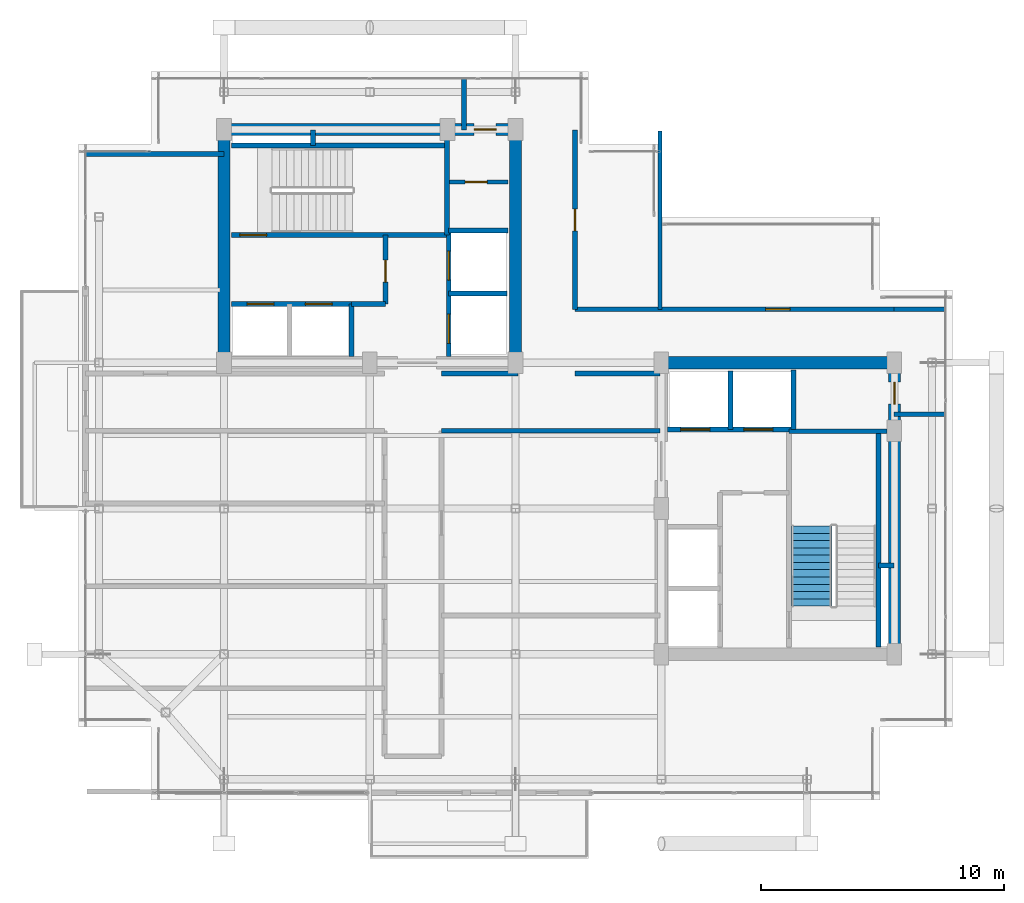
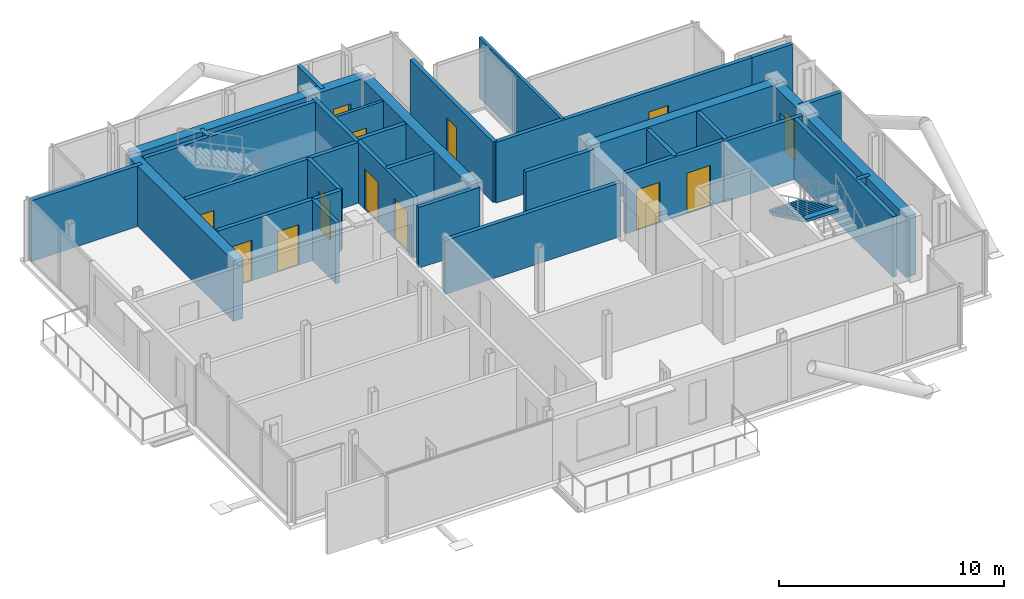
# One storey, part 15 of 18: 33 walls, 13 doors, 1 stair flight, 13 openings, 1 element without a shape of its own.
"""IFC4 building model written with IfcOpenShell, lengths in metres."""

from ifc_helpers import new_model, si_unit, direction, frame, frame_2d, origin, place, context, subcontext, project, spatial, polyline, rectangle, outline, extrude, material, layer, layer_set, type_object, element, fill, aggregate, save


model = new_model("IFC4")

# Units and contexts
model_context = context("Model", 3, precision=1e-05, world=origin(), true_north=direction((0.0, 1.0)))
body_context = subcontext(model_context, "Body", "Model", "MODEL_VIEW")
ifc_project = project(units=[si_unit("LENGTHUNIT", "METRE"), si_unit("AREAUNIT", "SQUARE_METRE"), si_unit("VOLUMEUNIT", "CUBIC_METRE"), si_unit("PLANEANGLEUNIT", "RADIAN"), si_unit("MASSUNIT", "GRAM", prefix="KILO"), si_unit("THERMODYNAMICTEMPERATUREUNIT", "KELVIN"), si_unit("POWERUNIT", "WATT")], contexts=[model_context])

# Site, building, storey
site_placement = place(None, origin())
site = spatial("IfcSite", under=ifc_project, at=site_placement, CompositionType="ELEMENT")
building_placement = place(site_placement, origin())
building = spatial("IfcBuilding", under=site, at=building_placement, Name="Svarakhadi Broadcast Tower", CompositionType="ELEMENT")
storey_placement = place(building_placement, frame((0.0, 0.0, 278.199951171875)))
storey = spatial("IfcBuildingStorey", under=building, at=storey_placement, Name="L70", CompositionType="ELEMENT", Elevation=278.199951171875)

# Walls
ifc_material_1 = material(Name="Double-Stud Acoustic Studio Partition STC-62", Category="gypsum")
ifc_layer_1 = layer(ifc_material_1, 0.199951171875)
ifc_layer_set_1 = layer_set([ifc_layer_1], Name="Double-Stud Acoustic Studio Partition STC-62")
wall_type_1 = type_object("IfcWallType", Name="Wall_Acoust_200", PredefinedType="PARTITIONING", material=ifc_layer_set_1)
wall_1_placement = place(storey_placement, frame((0.300048828125, 26.60009765625, 0.0), z_axis=(0.0, 0.0, 1.0), x_axis=(1.0, 0.0, 0.0)))
element("IfcWall", 1, at=wall_1_placement, inside=storey, type_object=wall_type_1, Name="L70 Summit Cigar and Cognac Salon Wall", PredefinedType="PARTITIONING", context=body_context, shape_type="SweptSolid", body=[
    extrude(rectangle(XDim=5.699951171875, YDim=0.199951171875, at=frame_2d((2.85009765625, 0.0))), origin(), (0.0, 0.0, 1.0), 3.300048828125),
])
ifc_material_2 = material(Name="Concrete C40/50 (IS 456 M50)", Category="concrete")
ifc_layer_2 = layer(ifc_material_2, 0.199951171875)
ifc_layer_set_2 = layer_set([ifc_layer_2], Name="Concrete C40/50 (IS 456 M50)")
wall_type_2 = type_object("IfcWallType", Name="Wall_Fire_200", PredefinedType="SOLIDWALL", material=ifc_layer_set_2)
for number, where, z_axis, x_axis, name in (
    (2, (9.659912109375, 26.93994140625, 0.0), (0.0, 0.0, 1.0), (0.0, 1.0, 0.0), "L70 Wet Riser Shaft East Wall"),
    (3, (32.93994140625, 9.659912109375, 0.0), (0.0, 0.0, 1.0), (1.0, 0.0, 0.0), "L70 HV Busduct Riser Shaft North Wall"),
):
    element("IfcWall", number, at=place(storey_placement, frame(where, z_axis=z_axis, x_axis=x_axis)), inside=storey, type_object=wall_type_2, Name=name, PredefinedType="SOLIDWALL", context=body_context, shape_type="SweptSolid", body=[
        extrude(rectangle(XDim=0.64013671875, YDim=0.199951171875, at=frame_2d((0.320068359375, 0.0))), origin(), (0.0, 0.0, 1.0), 3.300048828125),
    ])
wall_2_placement = place(storey_placement, frame((14.949951171875, 17.550048828125, 0.0), z_axis=(0.0, 0.0, 1.0), x_axis=(1.0, 0.0, 0.0)))
element("IfcWall", 4, at=wall_2_placement, inside=storey, type_object=wall_type_2, Name="L70 Upper Tower Concourse Wall", PredefinedType="SOLIDWALL", context=body_context, shape_type="SweptSolid", body=[
    extrude(rectangle(XDim=3.150146484375, YDim=0.199951171875, at=frame_2d((1.5751953125, 0.0))), origin(), (0.0, 0.0, 1.0), 3.300048828125),
])
wall_3_placement = place(storey_placement, frame((15.8798828125, 27.580078125, 0.0), z_axis=(0.0, 0.0, 1.0), x_axis=(0.0, 1.0, 0.0)))
element("IfcWall", 5, at=wall_3_placement, inside=storey, type_object=wall_type_2, Name="L70 Upper Tower Concourse Wall", PredefinedType="SOLIDWALL", context=body_context, shape_type="SweptSolid", body=[
    extrude(rectangle(XDim=2.119873046875, YDim=0.199951171875, at=frame_2d((1.06005859375, 0.0))), origin(), (0.0, 0.0, 1.0), 3.300048828125),
])

# Wall, opening, door
wall_4_placement = place(storey_placement, frame((20.449951171875, 27.580078125, 0.0), z_axis=(0.0, 0.0, 1.0), x_axis=(0.0, -1.0, 0.0)))
wall_4 = element("IfcWall", 6, at=wall_4_placement, inside=storey, type_object=wall_type_2, Name="L70 Upper Tower Concourse Wall", PredefinedType="SOLIDWALL", context=body_context, shape_type="SweptSolid", body=[
    extrude(rectangle(XDim=7.380126953125, YDim=0.199951171875, at=frame_2d((3.68994140625, 0.0))), origin(), (0.0, 0.0, 1.0), 3.300048828125),
])
opening_1_placement = place(wall_4_placement, frame((3.2548828125, 0.0, 0.0)))
opening_1 = element("IfcOpeningElement", 7, at=opening_1_placement, cuts=wall_4, Name="Opening D-12", PredefinedType="OPENING", context=body_context, shape_type="SweptSolid", body=[
    extrude(rectangle(XDim=0.89990234375, YDim=2.10009765625, at=frame_2d((0.449951171875, 1.050048828125))), frame((0.0, 0.10986328125, 0.0), z_axis=(0.0, -1.0, 0.0), x_axis=(1.0, 0.0, 0.0)), (0.0, 0.0, 1.0), 0.219970703125),
])
ifc_material_3 = material(Name="Solid-Core Teak Veneer Acoustic Timber Leaf", Category="wood")
door_type_1 = type_object("IfcDoorType", Name="Door_WC_D01", OperationType="SINGLE_SWING_LEFT", PredefinedType="DOOR", material=ifc_material_3)
door_1_placement = place(opening_1_placement, origin())
door_1 = element("IfcDoor", 8, at=door_1_placement, inside=storey, type_object=door_type_1, Name="L70 Accessible Visitor Washroom WC Door", OperationType="SINGLE_SWING_LEFT", OverallHeight=2.10009765625, OverallWidth=0.89990234375, PredefinedType="DOOR", context=body_context, shape_type="SweptSolid", body=[
    extrude(rectangle(XDim=0.89990234375, YDim=2.10009765625, at=frame_2d((0.449951171875, 1.050048828125))), frame((0.0, 0.02490234375, 0.0), z_axis=(0.0, -1.0, 0.0), x_axis=(1.0, 0.0, 0.0)), (0.0, 0.0, 1.0), 0.050048828125),
])
fill(opening_1, door_1)

wall_5_placement = place(storey_placement, frame((20.449951171875, 20.199951171875, 0.0), z_axis=(0.0, 0.0, 1.0), x_axis=(1.0, 0.0, 0.0)))
wall_5 = element("IfcWall", 9, at=wall_5_placement, inside=storey, type_object=wall_type_2, Name="L70 Upper Tower Concourse Wall", PredefinedType="SOLIDWALL", context=body_context, shape_type="SweptSolid", body=[
    extrude(rectangle(XDim=13.130126953125, YDim=0.199951171875, at=frame_2d((6.56494140625, 0.0))), origin(), (0.0, 0.0, 1.0), 3.300048828125),
])
opening_2_placement = place(wall_5_placement, frame((7.85009765625, 0.0, 0.0)))
opening_2 = element("IfcOpeningElement", 10, at=opening_2_placement, cuts=wall_5, Name="Opening D-09", PredefinedType="OPENING", context=body_context, shape_type="SweptSolid", body=[
    extrude(rectangle(XDim=1.0, YDim=2.199951171875, at=frame_2d((0.5, 1.10009765625))), frame((0.0, 0.10986328125, 0.0), z_axis=(0.0, -1.0, 0.0), x_axis=(1.0, 0.0, 0.0)), (0.0, 0.0, 1.0), 0.219970703125),
])
door_type_2 = type_object("IfcDoorType", Name="Door_Suite_D09", OperationType="SINGLE_SWING_RIGHT", PredefinedType="DOOR", material=ifc_material_3)
door_2_placement = place(opening_2_placement, origin())
door_2 = element("IfcDoor", 11, at=door_2_placement, inside=storey, type_object=door_type_2, Name="L70 Harbour Sky Club Reading Room Door", OperationType="SINGLE_SWING_RIGHT", OverallHeight=2.199951171875, OverallWidth=1.0, PredefinedType="DOOR", context=body_context, shape_type="SweptSolid", body=[
    extrude(rectangle(XDim=1.0, YDim=2.199951171875, at=frame_2d((0.5, 1.10009765625))), frame((0.0, 0.02490234375, 0.0), z_axis=(0.0, -1.0, 0.0), x_axis=(1.0, 0.0, 0.0)), (0.0, 0.0, 1.0), 0.050048828125),
])
fill(opening_2, door_2)

# Walls
for number, where, z_axis, x_axis, name in (
    (12, (33.580078125, 20.199951171875, 0.0), (0.0, 0.0, 1.0), (1.0, 0.0, 0.0), "L70 Upper Tower Concourse Wall"),
    (13, (35.699951171875, 15.8798828125, 0.0), (0.0, 0.0, 1.0), (-1.0, 0.0, 0.0), "L70 Upper Tower Concourse Wall"),
):
    element("IfcWall", number, at=place(storey_placement, frame(where, z_axis=z_axis, x_axis=x_axis)), inside=storey, type_object=wall_type_2, Name=name, PredefinedType="SOLIDWALL", context=body_context, shape_type="SweptSolid", body=[
        extrude(rectangle(XDim=2.119873046875, YDim=0.199951171875, at=frame_2d((1.06005859375, 0.0))), origin(), (0.0, 0.0, 1.0), 3.300048828125),
    ])
wall_6_placement = place(storey_placement, frame((20.449951171875, 17.550048828125, 0.0), z_axis=(0.0, 0.0, 1.0), x_axis=(1.0, 0.0, 0.0)))
element("IfcWall", 14, at=wall_6_placement, inside=storey, type_object=wall_type_2, Name="L70 Upper Tower Concourse Wall", PredefinedType="SOLIDWALL", context=body_context, shape_type="SweptSolid", body=[
    extrude(rectangle(XDim=3.5, YDim=0.199951171875, at=frame_2d((1.75, 0.0))), origin(), (0.0, 0.0, 1.0), 3.300048828125),
])
wall_7_placement = place(storey_placement, frame((23.949951171875, 15.199951171875, 0.0), z_axis=(0.0, 0.0, 1.0), x_axis=(-1.0, 0.0, 0.0)))
element("IfcWall", 15, at=wall_7_placement, inside=storey, type_object=wall_type_2, Name="L70 Upper Tower Concourse Wall", PredefinedType="SOLIDWALL", context=body_context, shape_type="SweptSolid", body=[
    extrude(rectangle(XDim=9.0, YDim=0.199951171875, at=frame_2d((4.5, 0.0))), origin(), (0.0, 0.0, 1.0), 2.93212890625),
])

# Wall, opening, door
ifc_material_4 = material(Name="Autoclaved Aerated Concrete Blockwork 150 mm", Category="masonry")
ifc_layer_3 = layer(ifc_material_4, 0.14990234375)
ifc_layer_set_3 = layer_set([ifc_layer_3], Name="Autoclaved Aerated Concrete Blockwork 150 mm")
wall_type_3 = type_object("IfcWallType", Name="Wall_Part_150", PredefinedType="PARTITIONING", material=ifc_layer_set_3)
wall_8_placement = place(storey_placement, frame((15.280029296875, 25.43994140625, 0.0), z_axis=(0.0, 0.0, 1.0), x_axis=(1.0, 0.0, 0.0)))
wall_8 = element("IfcWall", 16, at=wall_8_placement, inside=storey, type_object=wall_type_3, Name="L70 West Core Service Split Wall", PredefinedType="PARTITIONING", context=body_context, shape_type="SweptSolid", body=[
    extrude(rectangle(XDim=2.419921875, YDim=0.14990234375, at=frame_2d((1.2099609375, 0.0))), origin(), (0.0, 0.0, 1.0), 3.300048828125),
])
opening_3_placement = place(wall_8_placement, frame((0.64990234375, 0.0, 0.0)))
opening_3 = element("IfcOpeningElement", 17, at=opening_3_placement, cuts=wall_8, Name="Opening D-03", PredefinedType="OPENING", context=body_context, shape_type="SweptSolid", body=[
    extrude(rectangle(XDim=0.89990234375, YDim=2.14990234375, at=frame_2d((0.449951171875, 1.074951171875))), frame((0.0, 0.0849609375, 0.0), z_axis=(0.0, -1.0, 0.0), x_axis=(1.0, 0.0, 0.0)), (0.0, 0.0, 1.0), 0.169921875),
])
ifc_material_5 = material(Name="Galvanised Powder-Coated Fire-Rated Steel Leaf", Category="steel")
door_type_3 = type_object("IfcDoorType", Name="Door_Fire_D03", OperationType="SINGLE_SWING_LEFT", PredefinedType="DOOR", material=ifc_material_5)
door_3_placement = place(opening_3_placement, origin())
door_3 = element("IfcDoor", 18, at=door_3_placement, inside=storey, type_object=door_type_3, Name="L70 West Core Inner Store Door", OperationType="SINGLE_SWING_LEFT", OverallHeight=2.14990234375, OverallWidth=0.89990234375, PredefinedType="DOOR", context=body_context, shape_type="SweptSolid", body=[
    extrude(rectangle(XDim=0.89990234375, YDim=2.14990234375, at=frame_2d((0.449951171875, 1.074951171875))), frame((0.0, 0.02490234375, 0.0), z_axis=(0.0, -1.0, 0.0), x_axis=(1.0, 0.0, 0.0)), (0.0, 0.0, 1.0), 0.050048828125),
])
fill(opening_3, door_3)

# Wall
wall_9_placement = place(storey_placement, frame((23.949951171875, 20.199951171875, 0.0), z_axis=(0.0, 0.0, 1.0), x_axis=(0.0, 1.0, 0.0)))
element("IfcWall", 19, at=wall_9_placement, inside=storey, type_object=wall_type_3, Name="L70 Accessible Visitor Washroom WC Wall", PredefinedType="PARTITIONING", context=body_context, shape_type="SweptSolid", body=[
    extrude(rectangle(XDim=7.35009765625, YDim=0.14990234375, at=frame_2d((3.675048828125, 0.0))), origin(), (0.0, 0.0, 1.0), 3.300048828125),
])

# Wall, opening, door
ifc_material_6 = material(Name="Concrete C50/60 (IS 456 M60)", Category="concrete")
ifc_layer_4 = layer(ifc_material_6, 0.199951171875)
ifc_layer_set_4 = layer_set([ifc_layer_4], Name="Concrete C50/60 (IS 456 M60)")
wall_type_4 = type_object("IfcWallType", Name="Wall_Shear_200", PredefinedType="SHEAR", material=ifc_layer_set_4)
wall_10_placement = place(storey_placement, frame((6.300048828125, 23.260009765625, 0.0), z_axis=(0.0, 0.0, 1.0), x_axis=(1.0, 0.0, 0.0)))
wall_10 = element("IfcWall", 20, at=wall_10_placement, inside=storey, type_object=wall_type_4, Name="L70 Stair ST-01 South RC Shaft Wall", PredefinedType="SHEAR", context=body_context, shape_type="SweptSolid", body=[
    extrude(rectangle(XDim=8.8798828125, YDim=0.199951171875, at=frame_2d((4.43994140625, 0.0))), origin(), (0.0, 0.0, 1.0), 3.300048828125),
])
opening_4_placement = place(wall_10_placement, frame((0.35009765625, 0.0, 0.0)))
opening_4 = element("IfcOpeningElement", 21, at=opening_4_placement, cuts=wall_10, Name="Opening D-01", PredefinedType="OPENING", context=body_context, shape_type="SweptSolid", body=[
    extrude(rectangle(XDim=1.10009765625, YDim=2.199951171875, at=frame_2d((0.550048828125, 1.10009765625))), frame((0.0, 0.10986328125, 0.0), z_axis=(0.0, -1.0, 0.0), x_axis=(1.0, 0.0, 0.0)), (0.0, 0.0, 1.0), 0.219970703125),
])
door_type_4 = type_object("IfcDoorType", Name="Door_Stair_D01", OperationType="SINGLE_SWING_LEFT", PredefinedType="DOOR", material=ifc_material_5)
door_4_placement = place(opening_4_placement, origin())
door_4 = element("IfcDoor", 22, at=door_4_placement, inside=storey, type_object=door_type_4, Name="L70 Protected Exit Stair ST-01 Fire Door", OperationType="SINGLE_SWING_LEFT", OverallHeight=2.199951171875, OverallWidth=1.10009765625, PredefinedType="DOOR", context=body_context, shape_type="SweptSolid", body=[
    extrude(rectangle(XDim=1.10009765625, YDim=2.199951171875, at=frame_2d((0.550048828125, 1.10009765625))), frame((0.0, 0.02490234375, 0.0), z_axis=(0.0, -1.0, 0.0), x_axis=(1.0, 0.0, 0.0)), (0.0, 0.0, 1.0), 0.050048828125),
])
fill(opening_4, door_4)

# Walls
wall_11_placement = place(storey_placement, frame((6.300048828125, 26.93994140625, 0.0), z_axis=(0.0, 0.0, 1.0), x_axis=(1.0, 0.0, 0.0)))
element("IfcWall", 23, at=wall_11_placement, inside=storey, type_object=wall_type_4, Name="L70 Stair ST-01 North RC Shaft Wall", PredefinedType="SHEAR", context=body_context, shape_type="SweptSolid", body=[
    extrude(rectangle(XDim=8.8798828125, YDim=0.199951171875, at=frame_2d((4.43994140625, 0.0))), origin(), (0.0, 0.0, 1.0), 3.300048828125),
])
wall_12_placement = place(storey_placement, frame((15.179931640625, 23.260009765625, 0.0), z_axis=(0.0, 0.0, 1.0), x_axis=(0.0, 1.0, 0.0)))
element("IfcWall", 24, at=wall_12_placement, inside=storey, type_object=wall_type_4, Name="L70 Stair ST-01 East RC Shaft Wall", PredefinedType="SHEAR", context=body_context, shape_type="SweptSolid", body=[
    extrude(rectangle(XDim=4.0400390625, YDim=0.199951171875, at=frame_2d((2.02001953125, 0.0))), origin(), (0.0, 0.0, 1.0), 3.300048828125),
])
wall_13_placement = place(storey_placement, frame((32.93994140625, 6.300048828125, 0.0), z_axis=(0.0, 0.0, 1.0), x_axis=(0.0, 1.0, 0.0)))
element("IfcWall", 25, at=wall_13_placement, inside=storey, type_object=wall_type_4, Name="L70 Stair ST-02 East RC Shaft Wall", PredefinedType="SHEAR", context=body_context, shape_type="SweptSolid", body=[
    extrude(rectangle(XDim=8.8798828125, YDim=0.199951171875, at=frame_2d((4.43994140625, 0.0))), origin(), (0.0, 0.0, 1.0), 3.300048828125),
])
wall_14_placement = place(storey_placement, frame((29.260009765625, 15.179931640625, 0.0), z_axis=(0.0, 0.0, 1.0), x_axis=(1.0, 0.0, 0.0)))
element("IfcWall", 26, at=wall_14_placement, inside=storey, type_object=wall_type_4, Name="L70 Stair ST-02 North RC Shaft Wall", PredefinedType="SHEAR", context=body_context, shape_type="SweptSolid", body=[
    extrude(rectangle(XDim=4.0400390625, YDim=0.199951171875, at=frame_2d((2.02001953125, 0.0))), origin(), (0.0, 0.0, 1.0), 3.300048828125),
])

# Wall, openings, doors
wall_15_placement = place(storey_placement, frame((6.300048828125, 20.419921875, 0.0), z_axis=(0.0, 0.0, 1.0), x_axis=(1.0, 0.0, 0.0)))
wall_15 = element("IfcWall", 27, at=wall_15_placement, inside=storey, type_object=wall_type_4, Name="L70 Firefighting Lift LF-01/02 Shaft Wall", PredefinedType="SHEAR", context=body_context, shape_type="SweptSolid", body=[
    extrude(rectangle(XDim=4.949951171875, YDim=0.199951171875, at=frame_2d((2.47509765625, 0.0))), origin(), (0.0, 0.0, 1.0), 3.300048828125),
])
opening_5_placement = place(wall_15_placement, frame((0.64990234375, 0.0, 0.0)))
opening_5 = element("IfcOpeningElement", 28, at=opening_5_placement, cuts=wall_15, Name="Opening LD-01", PredefinedType="OPENING", context=body_context, shape_type="SweptSolid", body=[
    extrude(rectangle(XDim=1.10009765625, YDim=2.199951171875, at=frame_2d((0.550048828125, 1.10009765625))), frame((0.0, 0.10986328125, 0.0), z_axis=(0.0, -1.0, 0.0), x_axis=(1.0, 0.0, 0.0)), (0.0, 0.0, 1.0), 0.219970703125),
])
opening_6_placement = place(wall_15_placement, frame((3.050048828125, 0.0, 0.0)))
opening_6 = element("IfcOpeningElement", 29, at=opening_6_placement, cuts=wall_15, Name="Opening LD-01", PredefinedType="OPENING", context=body_context, shape_type="SweptSolid", body=[
    extrude(rectangle(XDim=1.10009765625, YDim=2.199951171875, at=frame_2d((0.550048828125, 1.10009765625))), frame((0.0, 0.10986328125, 0.0), z_axis=(0.0, -1.0, 0.0), x_axis=(1.0, 0.0, 0.0)), (0.0, 0.0, 1.0), 0.219970703125),
])
door_type_5 = type_object("IfcDoorType", Name="Door_Lift_LD01", OperationType="SLIDING_TO_LEFT", PredefinedType="DOOR", material=ifc_material_5)
door_5_placement = place(opening_5_placement, origin())
door_5 = element("IfcDoor", 30, at=door_5_placement, inside=storey, type_object=door_type_5, Name="L70 Firefighting Lift LF-01 Landing Door", OperationType="SLIDING_TO_LEFT", OverallHeight=2.199951171875, OverallWidth=1.10009765625, PredefinedType="DOOR", context=body_context, shape_type="SweptSolid", body=[
    extrude(rectangle(XDim=1.10009765625, YDim=2.199951171875, at=frame_2d((0.550048828125, 1.10009765625))), frame((0.0, 0.02490234375, 0.0), z_axis=(0.0, -1.0, 0.0), x_axis=(1.0, 0.0, 0.0)), (0.0, 0.0, 1.0), 0.050048828125),
])
fill(opening_5, door_5)
door_6_placement = place(opening_6_placement, origin())
door_6 = element("IfcDoor", 31, at=door_6_placement, inside=storey, type_object=door_type_5, Name="L70 Firefighting Lift LF-02 Landing Door", OperationType="SLIDING_TO_LEFT", OverallHeight=2.199951171875, OverallWidth=1.10009765625, PredefinedType="DOOR", context=body_context, shape_type="SweptSolid", body=[
    extrude(rectangle(XDim=1.10009765625, YDim=2.199951171875, at=frame_2d((0.550048828125, 1.10009765625))), frame((0.0, 0.02490234375, 0.0), z_axis=(0.0, -1.0, 0.0), x_axis=(1.0, 0.0, 0.0)), (0.0, 0.0, 1.0), 0.050048828125),
])
fill(opening_6, door_6)

# Walls
wall_16_placement = place(storey_placement, frame((11.25, 18.25, 0.0), z_axis=(0.0, 0.0, 1.0), x_axis=(0.0, 1.0, 0.0)))
element("IfcWall", 32, at=wall_16_placement, inside=storey, type_object=wall_type_4, Name="L70 Firefighting Lift LF-02 East Wall", PredefinedType="SHEAR", context=body_context, shape_type="SweptSolid", body=[
    extrude(rectangle(XDim=2.169921875, YDim=0.199951171875, at=frame_2d((1.0849609375, 0.0))), origin(), (0.0, 0.0, 1.0), 3.300048828125),
])
wall_17_placement = place(storey_placement, frame((11.25, 20.419921875, 0.0), z_axis=(0.0, 0.0, 1.0), x_axis=(1.0, 0.0, 0.0)))
element("IfcWall", 33, at=wall_17_placement, inside=storey, type_object=wall_type_4, Name="L70 West Firefighting Lobby South Wall", PredefinedType="SHEAR", context=body_context, shape_type="SweptSolid", body=[
    extrude(rectangle(XDim=1.39990234375, YDim=0.199951171875, at=frame_2d((0.699951171875, 0.0))), origin(), (0.0, 0.0, 1.0), 3.300048828125),
])

# Wall, opening, door
wall_18_placement = place(storey_placement, frame((12.64990234375, 20.419921875, 0.0), z_axis=(0.0, 0.0, 1.0), x_axis=(0.0, 1.0, 0.0)))
wall_18 = element("IfcWall", 34, at=wall_18_placement, inside=storey, type_object=wall_type_4, Name="L70 West Firefighting Lobby East Wall", PredefinedType="SHEAR", context=body_context, shape_type="SweptSolid", body=[
    extrude(rectangle(XDim=2.840087890625, YDim=0.199951171875, at=frame_2d((1.419921875, 0.0))), origin(), (0.0, 0.0, 1.0), 3.300048828125),
])
opening_7_placement = place(wall_18_placement, frame((0.89990234375, 0.0, 0.0)))
opening_7 = element("IfcOpeningElement", 35, at=opening_7_placement, cuts=wall_18, Name="Opening D-03", PredefinedType="OPENING", context=body_context, shape_type="SweptSolid", body=[
    extrude(rectangle(XDim=0.89990234375, YDim=2.14990234375, at=frame_2d((0.449951171875, 1.074951171875))), frame((0.0, 0.10986328125, 0.0), z_axis=(0.0, -1.0, 0.0), x_axis=(1.0, 0.0, 0.0)), (0.0, 0.0, 1.0), 0.219970703125),
])
door_7_placement = place(opening_7_placement, origin())
door_7 = element("IfcDoor", 36, at=door_7_placement, inside=storey, type_object=door_type_3, Name="L70 West Firefighting Lobby Fire Door", OperationType="SINGLE_SWING_LEFT", OverallHeight=2.14990234375, OverallWidth=0.89990234375, PredefinedType="DOOR", context=body_context, shape_type="SweptSolid", body=[
    extrude(rectangle(XDim=0.89990234375, YDim=2.14990234375, at=frame_2d((0.449951171875, 1.074951171875))), frame((0.0, 0.02490234375, 0.0), z_axis=(0.0, -1.0, 0.0), x_axis=(1.0, 0.0, 0.0)), (0.0, 0.0, 1.0), 0.050048828125),
])
fill(opening_7, door_7)

# Wall, openings, doors
wall_19_placement = place(storey_placement, frame((15.25, 18.25, 0.0), z_axis=(0.0, 0.0, 1.0), x_axis=(0.0, 1.0, 0.0)))
wall_19 = element("IfcWall", 37, at=wall_19_placement, inside=storey, type_object=wall_type_4, Name="L70 High-Rise Lift LF-13/14 West Shaft Wall", PredefinedType="SHEAR", context=body_context, shape_type="SweptSolid", body=[
    extrude(rectangle(XDim=5.199951171875, YDim=0.199951171875, at=frame_2d((2.60009765625, 0.0))), origin(), (0.0, 0.0, 1.0), 3.300048828125),
])
opening_8_placement = place(wall_19_placement, frame((0.550048828125, 0.0, 0.0)))
opening_8 = element("IfcOpeningElement", 38, at=opening_8_placement, cuts=wall_19, Name="Opening LD-02", PredefinedType="OPENING", context=body_context, shape_type="SweptSolid", body=[
    extrude(rectangle(XDim=1.199951171875, YDim=2.199951171875, at=frame_2d((0.60009765625, 1.10009765625))), frame((0.0, 0.10986328125, 0.0), z_axis=(0.0, -1.0, 0.0), x_axis=(1.0, 0.0, 0.0)), (0.0, 0.0, 1.0), 0.219970703125),
])
opening_9_placement = place(wall_19_placement, frame((3.14990234375, 0.0, 0.0)))
opening_9 = element("IfcOpeningElement", 39, at=opening_9_placement, cuts=wall_19, Name="Opening LD-02", PredefinedType="OPENING", context=body_context, shape_type="SweptSolid", body=[
    extrude(rectangle(XDim=1.199951171875, YDim=2.199951171875, at=frame_2d((0.60009765625, 1.10009765625))), frame((0.0, 0.10986328125, 0.0), z_axis=(0.0, -1.0, 0.0), x_axis=(1.0, 0.0, 0.0)), (0.0, 0.0, 1.0), 0.219970703125),
])
door_type_6 = type_object("IfcDoorType", Name="Door_Lift_LD02", OperationType="SLIDING_TO_RIGHT", PredefinedType="DOOR", material=ifc_material_5)
door_8_placement = place(opening_8_placement, origin())
door_8 = element("IfcDoor", 40, at=door_8_placement, inside=storey, type_object=door_type_6, Name="L70 High-Rise Lift LF-13 Landing Door", OperationType="SLIDING_TO_RIGHT", OverallHeight=2.199951171875, OverallWidth=1.199951171875, PredefinedType="DOOR", context=body_context, shape_type="SweptSolid", body=[
    extrude(rectangle(XDim=1.199951171875, YDim=2.199951171875, at=frame_2d((0.60009765625, 1.10009765625))), frame((0.0, 0.02490234375, 0.0), z_axis=(0.0, -1.0, 0.0), x_axis=(1.0, 0.0, 0.0)), (0.0, 0.0, 1.0), 0.050048828125),
])
fill(opening_8, door_8)
door_9_placement = place(opening_9_placement, origin())
door_9 = element("IfcDoor", 41, at=door_9_placement, inside=storey, type_object=door_type_6, Name="L70 High-Rise Lift LF-14 Landing Door", OperationType="SLIDING_TO_RIGHT", OverallHeight=2.199951171875, OverallWidth=1.199951171875, PredefinedType="DOOR", context=body_context, shape_type="SweptSolid", body=[
    extrude(rectangle(XDim=1.199951171875, YDim=2.199951171875, at=frame_2d((0.60009765625, 1.10009765625))), frame((0.0, 0.02490234375, 0.0), z_axis=(0.0, -1.0, 0.0), x_axis=(1.0, 0.0, 0.0)), (0.0, 0.0, 1.0), 0.050048828125),
])
fill(opening_9, door_9)

# Walls
wall_20_placement = place(storey_placement, frame((15.25, 20.85009765625, 0.0), z_axis=(0.0, 0.0, 1.0), x_axis=(1.0, 0.0, 0.0)))
element("IfcWall", 42, at=wall_20_placement, inside=storey, type_object=wall_type_4, Name="L70 High-Rise Lift LF-13/14 Divider", PredefinedType="SHEAR", context=body_context, shape_type="SweptSolid", body=[
    extrude(rectangle(XDim=2.39990234375, YDim=0.199951171875, at=frame_2d((1.199951171875, 0.0))), origin(), (0.0, 0.0, 1.0), 3.300048828125),
])
wall_21_placement = place(storey_placement, frame((15.25, 23.449951171875, 0.0), z_axis=(0.0, 0.0, 1.0), x_axis=(1.0, 0.0, 0.0)))
element("IfcWall", 43, at=wall_21_placement, inside=storey, type_object=wall_type_4, Name="L70 High-Rise Lift LF-13/14 North Wall", PredefinedType="SHEAR", context=body_context, shape_type="SweptSolid", body=[
    extrude(rectangle(XDim=2.449951171875, YDim=0.199951171875, at=frame_2d((1.22509765625, 0.0))), origin(), (0.0, 0.0, 1.0), 3.300048828125),
])

# Wall, openings, doors
wall_22_placement = place(storey_placement, frame((24.25, 15.25, 0.0), z_axis=(0.0, 0.0, 1.0), x_axis=(1.0, 0.0, 0.0)))
wall_22 = element("IfcWall", 44, at=wall_22_placement, inside=storey, type_object=wall_type_4, Name="L70 High-Rise Lift LF-15/16 South Shaft Wall", PredefinedType="SHEAR", context=body_context, shape_type="SweptSolid", body=[
    extrude(rectangle(XDim=5.199951171875, YDim=0.199951171875, at=frame_2d((2.60009765625, 0.0))), origin(), (0.0, 0.0, 1.0), 3.300048828125),
])
opening_10_placement = place(wall_22_placement, frame((0.550048828125, 0.0, 0.0)))
opening_10 = element("IfcOpeningElement", 45, at=opening_10_placement, cuts=wall_22, Name="Opening LD-02", PredefinedType="OPENING", context=body_context, shape_type="SweptSolid", body=[
    extrude(rectangle(XDim=1.199951171875, YDim=2.199951171875, at=frame_2d((0.60009765625, 1.10009765625))), frame((0.0, 0.10986328125, 0.0), z_axis=(0.0, -1.0, 0.0), x_axis=(1.0, 0.0, 0.0)), (0.0, 0.0, 1.0), 0.219970703125),
])
opening_11_placement = place(wall_22_placement, frame((3.14990234375, 0.0, 0.0)))
opening_11 = element("IfcOpeningElement", 46, at=opening_11_placement, cuts=wall_22, Name="Opening LD-02", PredefinedType="OPENING", context=body_context, shape_type="SweptSolid", body=[
    extrude(rectangle(XDim=1.199951171875, YDim=2.199951171875, at=frame_2d((0.60009765625, 1.10009765625))), frame((0.0, 0.10986328125, 0.0), z_axis=(0.0, -1.0, 0.0), x_axis=(1.0, 0.0, 0.0)), (0.0, 0.0, 1.0), 0.219970703125),
])
door_10_placement = place(opening_10_placement, origin())
door_10 = element("IfcDoor", 47, at=door_10_placement, inside=storey, type_object=door_type_6, Name="L70 High-Rise Lift LF-15 Landing Door", OperationType="SLIDING_TO_RIGHT", OverallHeight=2.199951171875, OverallWidth=1.199951171875, PredefinedType="DOOR", context=body_context, shape_type="SweptSolid", body=[
    extrude(rectangle(XDim=1.199951171875, YDim=2.199951171875, at=frame_2d((0.60009765625, 1.10009765625))), frame((0.0, 0.02490234375, 0.0), z_axis=(0.0, -1.0, 0.0), x_axis=(1.0, 0.0, 0.0)), (0.0, 0.0, 1.0), 0.050048828125),
])
fill(opening_10, door_10)
door_11_placement = place(opening_11_placement, origin())
door_11 = element("IfcDoor", 48, at=door_11_placement, inside=storey, type_object=door_type_6, Name="L70 High-Rise Lift LF-16 Landing Door", OperationType="SLIDING_TO_RIGHT", OverallHeight=2.199951171875, OverallWidth=1.199951171875, PredefinedType="DOOR", context=body_context, shape_type="SweptSolid", body=[
    extrude(rectangle(XDim=1.199951171875, YDim=2.199951171875, at=frame_2d((0.60009765625, 1.10009765625))), frame((0.0, 0.02490234375, 0.0), z_axis=(0.0, -1.0, 0.0), x_axis=(1.0, 0.0, 0.0)), (0.0, 0.0, 1.0), 0.050048828125),
])
fill(opening_11, door_11)

# Walls
wall_23_placement = place(storey_placement, frame((26.85009765625, 15.25, 0.0), z_axis=(0.0, 0.0, 1.0), x_axis=(0.0, 1.0, 0.0)))
element("IfcWall", 49, at=wall_23_placement, inside=storey, type_object=wall_type_4, Name="L70 High-Rise Lift LF-15/16 Divider", PredefinedType="SHEAR", context=body_context, shape_type="SweptSolid", body=[
    extrude(rectangle(XDim=2.39990234375, YDim=0.199951171875, at=frame_2d((1.199951171875, 0.0))), origin(), (0.0, 0.0, 1.0), 3.300048828125),
])
wall_24_placement = place(storey_placement, frame((29.449951171875, 15.25, 0.0), z_axis=(0.0, 0.0, 1.0), x_axis=(0.0, 1.0, 0.0)))
element("IfcWall", 50, at=wall_24_placement, inside=storey, type_object=wall_type_4, Name="L70 High-Rise Lift LF-15/16 East Wall", PredefinedType="SHEAR", context=body_context, shape_type="SweptSolid", body=[
    extrude(rectangle(XDim=2.449951171875, YDim=0.199951171875, at=frame_2d((1.22509765625, 0.0))), origin(), (0.0, 0.0, 1.0), 3.300048828125),
])

# Wall, opening, door
ifc_layer_5 = layer(ifc_material_6, 0.5)
ifc_layer_set_5 = layer_set([ifc_layer_5], Name="Concrete C50/60 (IS 456 M60)")
wall_type_5 = type_object("IfcWallType", Name="Wall_Shear_500", PredefinedType="SHEAR", material=ifc_layer_set_5)
wall_25_placement = place(storey_placement, frame((6.0, 27.60009765625, 0.0), z_axis=(0.0, 0.0, 1.0), x_axis=(1.0, 0.0, 0.0)))
wall_25 = element("IfcWall", 51, at=wall_25_placement, inside=storey, type_object=wall_type_5, Name="L70 West Core North Shear Wall", PredefinedType="SHEAR", context=body_context, shape_type="SweptSolid", body=[
    extrude(rectangle(XDim=12.0, YDim=0.5, at=frame_2d((6.0, 0.0))), origin(), (0.0, 0.0, 1.0), 3.300048828125),
])
opening_12_placement = place(wall_25_placement, frame((10.300048828125, 0.0, 0.0)))
opening_12 = element("IfcOpeningElement", 52, at=opening_12_placement, cuts=wall_25, Name="Opening D-03", PredefinedType="OPENING", context=body_context, shape_type="SweptSolid", body=[
    extrude(rectangle(XDim=0.89990234375, YDim=2.14990234375, at=frame_2d((0.449951171875, 1.074951171875))), frame((0.0, 0.260009765625, 0.0), z_axis=(0.0, -1.0, 0.0), x_axis=(1.0, 0.0, 0.0)), (0.0, 0.0, 1.0), 0.52001953125),
])
door_12_placement = place(opening_12_placement, origin())
door_12 = element("IfcDoor", 53, at=door_12_placement, inside=storey, type_object=door_type_3, Name="L70 West Core Outer Store Door", OperationType="SINGLE_SWING_LEFT", OverallHeight=2.14990234375, OverallWidth=0.89990234375, PredefinedType="DOOR", context=body_context, shape_type="SweptSolid", body=[
    extrude(rectangle(XDim=0.89990234375, YDim=2.14990234375, at=frame_2d((0.449951171875, 1.074951171875))), frame((0.0, 0.02490234375, 0.0), z_axis=(0.0, -1.0, 0.0), x_axis=(1.0, 0.0, 0.0)), (0.0, 0.0, 1.0), 0.050048828125),
])
fill(opening_12, door_12)

# Walls
for number, where, z_axis, x_axis, name in (
    (54, (6.0, 18.0, 0.0), (0.0, 0.0, 1.0), (0.0, 1.0, 0.0), "L70 West Core West Shear Wall"),
    (55, (18.0, 18.0, 0.0), (0.0, 0.0, 1.0), (0.0, 1.0, 0.0), "L70 West Core East Shear Wall"),
    (56, (24.0, 18.0, 0.0), (0.0, 0.0, 1.0), (1.0, 0.0, 0.0), "L70 East Core North Shear Wall"),
):
    element("IfcWall", number, at=place(storey_placement, frame(where, z_axis=z_axis, x_axis=x_axis)), inside=storey, type_object=wall_type_5, Name=name, PredefinedType="SHEAR", context=body_context, shape_type="SweptSolid", body=[
        extrude(rectangle(XDim=9.60009765625, YDim=0.5, at=frame_2d((4.800048828125, 0.0))), origin(), (0.0, 0.0, 1.0), 3.300048828125),
    ])

# Wall, opening, door
wall_26_placement = place(storey_placement, frame((33.60009765625, 6.0, 0.0), z_axis=(0.0, 0.0, 1.0), x_axis=(0.0, 1.0, 0.0)))
wall_26 = element("IfcWall", 57, at=wall_26_placement, inside=storey, type_object=wall_type_5, Name="L70 East Core East Shear Wall", PredefinedType="SHEAR", context=body_context, shape_type="SweptSolid", body=[
    extrude(rectangle(XDim=12.0, YDim=0.5, at=frame_2d((6.0, 0.0))), origin(), (0.0, 0.0, 1.0), 3.300048828125),
])
opening_13_placement = place(wall_26_placement, frame((10.300048828125, 0.0, 0.0)))
opening_13 = element("IfcOpeningElement", 58, at=opening_13_placement, cuts=wall_26, Name="Opening D-03", PredefinedType="OPENING", context=body_context, shape_type="SweptSolid", body=[
    extrude(rectangle(XDim=0.89990234375, YDim=2.14990234375, at=frame_2d((0.449951171875, 1.074951171875))), frame((0.0, 0.260009765625, 0.0), z_axis=(0.0, -1.0, 0.0), x_axis=(1.0, 0.0, 0.0)), (0.0, 0.0, 1.0), 0.52001953125),
])
door_13_placement = place(opening_13_placement, origin())
door_13 = element("IfcDoor", 59, at=door_13_placement, inside=storey, type_object=door_type_3, Name="L70 East Core Service Store Door", OperationType="SINGLE_SWING_LEFT", OverallHeight=2.14990234375, OverallWidth=0.89990234375, PredefinedType="DOOR", context=body_context, shape_type="SweptSolid", body=[
    extrude(rectangle(XDim=0.89990234375, YDim=2.14990234375, at=frame_2d((0.449951171875, 1.074951171875))), frame((0.0, 0.02490234375, 0.0), z_axis=(0.0, -1.0, 0.0), x_axis=(1.0, 0.0, 0.0)), (0.0, 0.0, 1.0), 0.050048828125),
])
fill(opening_13, door_13)

# Stair, stair flight
stair_type = type_object("IfcStairType", Name="Stair_Exit_Core", PredefinedType="HALF_TURN_STAIR", material=ifc_material_2)
stair_placement = place(storey_placement, origin())
stair = element("IfcStair", 60, at=stair_placement, inside=storey, type_object=stair_type, Name="L70 East Core Protected Exit Stair ST-02", PredefinedType="HALF_TURN_STAIR")
stair_flight_type = type_object("IfcStairFlightType", Name="Flight_RC_1680", PredefinedType="STRAIGHT", material=ifc_material_2)
stair_flight_placement = place(storey_placement, frame((30.18994140625, 11.280029296875, 1.75), z_axis=(0.0, 0.0, 1.0), x_axis=(0.0, -1.0, 0.0)))
stair_flight = element("IfcStairFlight", 61, at=stair_flight_placement, type_object=stair_flight_type, Name="ST-02 flight 2", NumberOfRisers=12, NumberOfTreads=11, PredefinedType="STRAIGHT", RiserHeight=0.145833333, TreadLength=0.3, context=body_context, shape_type="SweptSolid", body=[
    extrude(outline(polyline([(0.0, 0.0), (0.0, 0.145751953125), (0.300048828125, 0.145751953125), (0.300048828125, 0.291748046875), (0.60009765625, 0.291748046875), (0.60009765625, 0.4375), (0.89990234375, 0.4375), (0.89990234375, 0.583251953125), (1.199951171875, 0.583251953125), (1.199951171875, 0.729248046875), (1.5, 0.729248046875), (1.5, 0.875), (1.800048828125, 0.875), (1.800048828125, 1.020751953125), (2.10009765625, 1.020751953125), (2.10009765625, 1.166748046875), (2.39990234375, 1.166748046875), (2.39990234375, 1.3125), (2.699951171875, 1.3125), (2.699951171875, 1.458251953125), (3.0, 1.458251953125), (3.0, 1.604248046875), (3.300048828125, 1.604248046875), (3.300048828125, 1.75), (3.300048828125, 1.4375), (0.3427734375, 0.0), (0.0, 0.0)])), frame((0.0, 0.830078125, 0.0), z_axis=(0.0, -1.0, 0.0), x_axis=(1.0, 0.0, 0.0)), (0.0, 0.0, 1.0), 1.659912109375),
])
aggregate(stair, [stair_flight])

save(model, "model.ifc")
